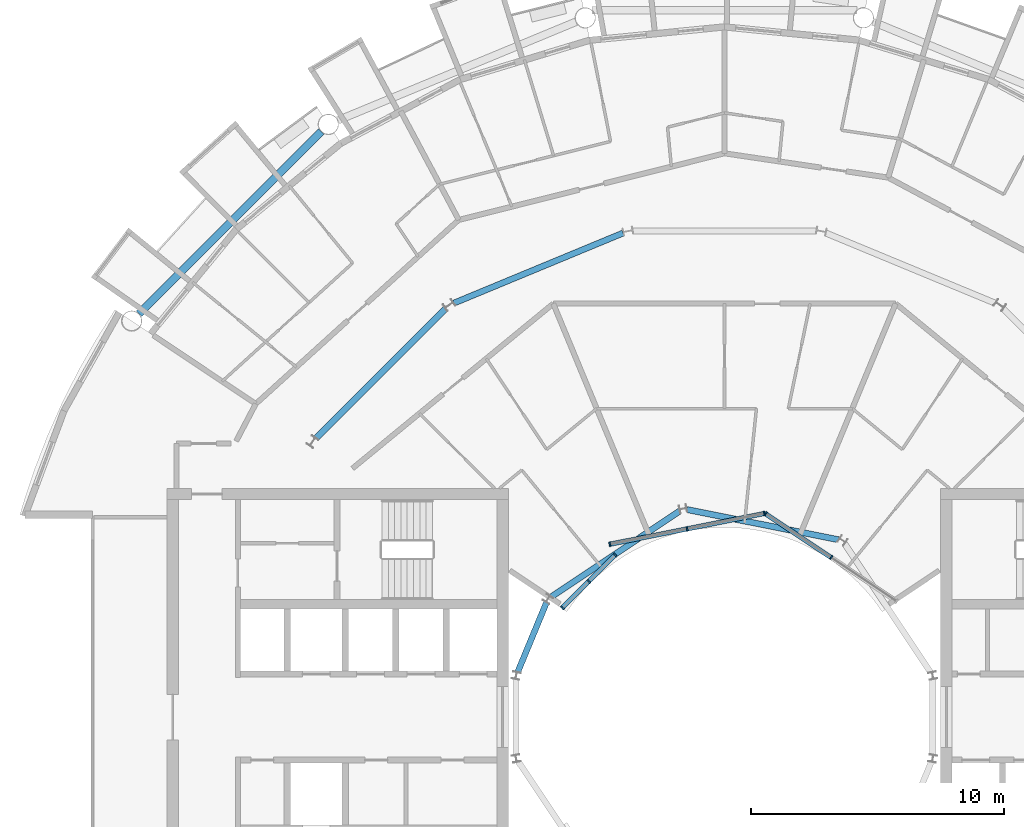
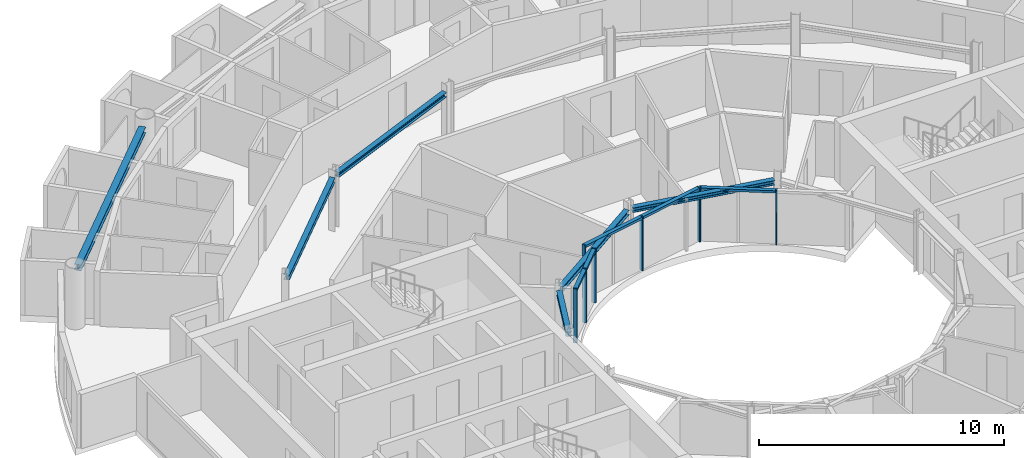
# One storey, part 9 of 29: 13 members, 6 beams, 3 elements without a shape of their own.
"""IFC4 building model written with IfcOpenShell, lengths in metres."""

from ifc_helpers import new_model, si_unit, direction, frame, origin, origin_2d, place, context, subcontext, project, spatial, rectangle, i_section, extrude, material, layer, layer_set, material_profile, profile_set, type_object, element, aggregate, save


model = new_model("IFC4")

# Units and contexts
model_context = context("Model", 3, precision=1e-05, world=origin(), true_north=direction((0.0, 1.0)))
body_context = subcontext(model_context, "Body", "Model", "MODEL_VIEW")
ifc_project = project(units=[si_unit("LENGTHUNIT", "METRE"), si_unit("AREAUNIT", "SQUARE_METRE"), si_unit("VOLUMEUNIT", "CUBIC_METRE"), si_unit("PLANEANGLEUNIT", "RADIAN"), si_unit("MASSUNIT", "GRAM", prefix="KILO")], contexts=[model_context])

# Site, building, storey
site_placement = place(None, origin())
site = spatial("IfcSite", under=ifc_project, at=site_placement, CompositionType="ELEMENT")
building_placement = place(site_placement, origin())
building = spatial("IfcBuilding", under=site, at=building_placement, Name="Maasbend Ring Residences", CompositionType="ELEMENT")
storey_placement = place(building_placement, frame((0.0, 0.0, 215.75)))
storey = spatial("IfcBuildingStorey", under=building, at=storey_placement, Name="L62", CompositionType="ELEMENT", Elevation=215.75)

# Curtain wall, members
ifc_material_1 = material(Name="Aluminium and clear glass", Category="aluminium")
ifc_layer = layer(ifc_material_1, 0.179931640625)
ifc_layer_set = layer_set([ifc_layer], Name="CW-W")
curtain_wall_type = type_object("IfcCurtainWallType", Name="CW-W", PredefinedType="NOTDEFINED", material=ifc_layer_set)
curtain_wall_1_placement = place(storey_placement, origin())
curtain_wall_1 = element("IfcCurtainWall", 1, at=curtain_wall_1_placement, inside=storey, type_object=curtain_wall_type, Name="Well curtain wall N1", PredefinedType="NOTDEFINED")
ifc_material_2 = material(Name="Aluminium 6063-T6", Category="aluminium")
ifc_material_profile_1 = material_profile(ifc_material_2, rectangle(XDim=0.179931640625, YDim=0.06005859375, at=origin_2d()), Name="AL 180x60")
ifc_profile_set_1 = profile_set([ifc_material_profile_1], Name="Aluminium 6063-T6")
member_type_1 = type_object("IfcMemberType", Name="CWM-W", PredefinedType="MULLION", material=ifc_profile_set_1)
member_1_placement = place(storey_placement, frame((4.216796875, 6.310791015625, 0.0), z_axis=(0.0, 0.0, 1.0), x_axis=(-0.55557023302, -0.831469612303, 0.0)))
member_1 = element("IfcMember", 2, at=member_1_placement, type_object=member_type_1, Name="Mullion well face", PredefinedType="MULLION", context=body_context, shape_type="SweptSolid", body=[
    extrude(rectangle(XDim=0.179931640625, YDim=0.06005859375, at=origin_2d()), origin(), (0.0, 0.0, 1.0), 2.699951171875),
])
member_2_placement = place(storey_placement, frame((1.627685546875, 8.040771484375, 0.0), z_axis=(0.0, 0.0, 1.0), x_axis=(-0.55557023302, -0.831469612303, 0.0)))
member_2 = element("IfcMember", 3, at=member_2_placement, type_object=member_type_1, Name="Mullion well face", PredefinedType="MULLION", context=body_context, shape_type="SweptSolid", body=[
    extrude(rectangle(XDim=0.179931640625, YDim=0.06005859375, at=origin_2d()), origin(), (0.0, 0.0, 1.0), 2.699951171875),
])

curtain_wall_2_placement = place(storey_placement, origin())
curtain_wall_2 = element("IfcCurtainWall", 4, at=curtain_wall_2_placement, inside=storey, type_object=curtain_wall_type, Name="Well curtain wall N2", PredefinedType="NOTDEFINED")
member_3_placement = place(storey_placement, frame((1.5732421875, 8.0517578125, 0.0), z_axis=(0.0, 0.0, 1.0), x_axis=(0.195090322016, -0.980785280403, 0.0)))
member_3 = element("IfcMember", 5, at=member_3_placement, type_object=member_type_1, Name="Mullion well face", PredefinedType="MULLION", context=body_context, shape_type="SweptSolid", body=[
    extrude(rectangle(XDim=0.179931640625, YDim=0.06005859375, at=origin_2d()), origin(), (0.0, 0.0, 1.0), 2.699951171875),
])
member_4_placement = place(storey_placement, frame((-1.480712890625, 7.444091796875, 0.0), z_axis=(0.0, 0.0, 1.0), x_axis=(0.195090322016, -0.980785280403, 0.0)))
member_4 = element("IfcMember", 6, at=member_4_placement, type_object=member_type_1, Name="Mullion well face", PredefinedType="MULLION", context=body_context, shape_type="SweptSolid", body=[
    extrude(rectangle(XDim=0.179931640625, YDim=0.06005859375, at=origin_2d()), origin(), (0.0, 0.0, 1.0), 2.699951171875),
])
member_5_placement = place(storey_placement, frame((-4.53466796875, 6.836669921875, 0.0), z_axis=(0.0, 0.0, 1.0), x_axis=(0.195090322016, -0.980785280403, 0.0)))
member_5 = element("IfcMember", 7, at=member_5_placement, type_object=member_type_1, Name="Mullion well face", PredefinedType="MULLION", context=body_context, shape_type="SweptSolid", body=[
    extrude(rectangle(XDim=0.179931640625, YDim=0.06005859375, at=origin_2d()), origin(), (0.0, 0.0, 1.0), 2.699951171875),
])

curtain_wall_3_placement = place(storey_placement, origin())
curtain_wall_3 = element("IfcCurtainWall", 8, at=curtain_wall_3_placement, inside=storey, type_object=curtain_wall_type, Name="Well curtain wall N3", PredefinedType="NOTDEFINED")
member_6_placement = place(storey_placement, frame((-4.320556640625, 6.413330078125, 0.0), z_axis=(0.0, 0.0, 1.0), x_axis=(0.707106781187, -0.707106781187, 0.0)))
member_6 = element("IfcMember", 9, at=member_6_placement, type_object=member_type_1, Name="Mullion well face", PredefinedType="MULLION", context=body_context, shape_type="SweptSolid", body=[
    extrude(rectangle(XDim=0.179931640625, YDim=0.06005859375, at=origin_2d()), origin(), (0.0, 0.0, 1.0), 2.699951171875),
])
member_7_placement = place(storey_placement, frame((-5.366943359375, 5.366943359375, 0.0), z_axis=(0.0, 0.0, 1.0), x_axis=(0.707106781187, -0.707106781187, 0.0)))
member_7 = element("IfcMember", 10, at=member_7_placement, type_object=member_type_1, Name="Mullion well face", PredefinedType="MULLION", context=body_context, shape_type="SweptSolid", body=[
    extrude(rectangle(XDim=0.179931640625, YDim=0.06005859375, at=origin_2d()), origin(), (0.0, 0.0, 1.0), 2.699951171875),
])
member_8_placement = place(storey_placement, frame((-6.413330078125, 4.320556640625, 0.0), z_axis=(0.0, 0.0, 1.0), x_axis=(0.707106781187, -0.707106781187, 0.0)))
member_8 = element("IfcMember", 11, at=member_8_placement, type_object=member_type_1, Name="Mullion well face", PredefinedType="MULLION", context=body_context, shape_type="SweptSolid", body=[
    extrude(rectangle(XDim=0.179931640625, YDim=0.06005859375, at=origin_2d()), origin(), (0.0, 0.0, 1.0), 2.699951171875),
])

# Member
ifc_material_3 = material(Name="Aluminium 6063-T6", Category="aluminium")
ifc_material_profile_2 = material_profile(ifc_material_3, rectangle(XDim=0.179931640625, YDim=0.1201171875, at=origin_2d()), Name="AL 180x120")
ifc_profile_set_2 = profile_set([ifc_material_profile_2], Name="Aluminium 6063-T6")
member_type_2 = type_object("IfcMemberType", Name="CWT-W", PredefinedType="USERDEFINED", material=ifc_profile_set_2)
member_9_placement = place(storey_placement, frame((4.19189453125, 6.32763671875, 2.639892578125), z_axis=(-0.831496422459, 0.555530106689, 0.0), x_axis=(-0.555530106689, -0.831496422459, 0.0)))
member_9 = element("IfcMember", 12, at=member_9_placement, type_object=member_type_2, Name="Transom well face", ObjectType="TRANSOM", PredefinedType="USERDEFINED", context=body_context, shape_type="SweptSolid", body=[
    extrude(rectangle(XDim=0.179931640625, YDim=0.1201171875, at=origin_2d()), origin(), (0.0, 0.0, 1.0), 3.053955078125),
])

aggregate(curtain_wall_1, [member_1, member_2, member_9])

member_10_placement = place(storey_placement, frame((1.5439453125, 8.0458984375, 2.639892578125), z_axis=(-0.980776956105, -0.195132166424, 0.0), x_axis=(0.195132166424, -0.980776956105, 0.0)))
member_10 = element("IfcMember", 13, at=member_10_placement, type_object=member_type_2, Name="Transom well face", ObjectType="TRANSOM", PredefinedType="USERDEFINED", context=body_context, shape_type="SweptSolid", body=[
    extrude(rectangle(XDim=0.179931640625, YDim=0.1201171875, at=origin_2d()), origin(), (0.0, 0.0, 1.0), 3.053955078125),
])

member_11_placement = place(storey_placement, frame((-1.51025390625, 7.438232421875, 2.639892578125), z_axis=(-0.980789210404, -0.19507056353, 0.0), x_axis=(0.19507056353, -0.980789210404, 0.0)))
member_11 = element("IfcMember", 14, at=member_11_placement, type_object=member_type_2, Name="Transom well face", ObjectType="TRANSOM", PredefinedType="USERDEFINED", context=body_context, shape_type="SweptSolid", body=[
    extrude(rectangle(XDim=0.179931640625, YDim=0.1201171875, at=origin_2d()), origin(), (0.0, 0.0, 1.0), 3.0537109375),
])

aggregate(curtain_wall_2, [member_3, member_4, member_5, member_10, member_11])

member_12_placement = place(storey_placement, frame((-4.341796875, 6.39208984375, 2.639892578125), z_axis=(-0.707106781187, -0.707106781187, 0.0), x_axis=(0.707106781187, -0.707106781187, 0.0)))
member_12 = element("IfcMember", 15, at=member_12_placement, type_object=member_type_2, Name="Transom well face", ObjectType="TRANSOM", PredefinedType="USERDEFINED", context=body_context, shape_type="SweptSolid", body=[
    extrude(rectangle(XDim=0.179931640625, YDim=0.1201171875, at=origin_2d()), origin(), (0.0, 0.0, 1.0), 1.419677734375),
])

member_13_placement = place(storey_placement, frame((-5.38818359375, 5.345703125, 2.639892578125), z_axis=(-0.707106781187, -0.707106781187, 0.0), x_axis=(0.707106781187, -0.707106781187, 0.0)))
member_13 = element("IfcMember", 16, at=member_13_placement, type_object=member_type_2, Name="Transom well face", ObjectType="TRANSOM", PredefinedType="USERDEFINED", context=body_context, shape_type="SweptSolid", body=[
    extrude(rectangle(XDim=0.179931640625, YDim=0.1201171875, at=origin_2d()), origin(), (0.0, 0.0, 1.0), 1.419677734375),
])

aggregate(curtain_wall_3, [member_6, member_7, member_8, member_12, member_13])

# Beams
ifc_material_4 = material(Name="Steel S355J2", Category="steel")
ifc_material_profile_3 = material_profile(ifc_material_4, i_section(OverallWidth=0.239990234375, OverallDepth=0.22998046875, WebThickness=0.007568359375, FlangeThickness=0.011962890625, FilletRadius=0.02099609375, at=origin_2d()), Name="HEA 240")
ifc_profile_set_3 = profile_set([ifc_material_profile_3], Name="Steel S355J2")
beam_type_1 = type_object("IfcBeamType", Name="Corridor ring beam HEA 240", PredefinedType="BEAM", material=ifc_profile_set_3)
beam_1_placement = place(storey_placement, frame((-4.01220703125, 19.1455078125, 2.5849609375), z_axis=(-0.923865162022, -0.382718123952, 0.0), x_axis=(0.382718123952, -0.923865162022, 0.0)))
element("IfcBeam", 17, at=beam_1_placement, inside=storey, type_object=beam_type_1, Name="Corridor ring beam", PredefinedType="BEAM", context=body_context, shape_type="SweptSolid", body=[
    extrude(i_section(OverallWidth=0.239990234375, OverallDepth=0.22998046875, WebThickness=0.007568359375, FlangeThickness=0.011962890625, FilletRadius=0.02099609375, at=origin_2d()), origin(), (0.0, 0.0, 1.0), 7.23974609375),
])
beam_2_placement = place(storey_placement, frame((-11.033447265625, 16.152587890625, 2.5849609375), z_axis=(-0.707106781187, -0.707106781187, 0.0), x_axis=(0.707106781187, -0.707106781187, 0.0)))
element("IfcBeam", 18, at=beam_2_placement, inside=storey, type_object=beam_type_1, Name="Corridor ring beam", PredefinedType="BEAM", context=body_context, shape_type="SweptSolid", body=[
    extrude(i_section(OverallWidth=0.239990234375, OverallDepth=0.22998046875, WebThickness=0.007568359375, FlangeThickness=0.011962890625, FilletRadius=0.02099609375, at=origin_2d()), origin(), (0.0, 0.0, 1.0), 7.239501953125),
])
ifc_material_5 = material(Name="Steel S355J2", Category="steel")
ifc_material_profile_4 = material_profile(ifc_material_5, i_section(OverallWidth=0.300048828125, OverallDepth=0.300048828125, WebThickness=0.010986328125, FlangeThickness=0.01904296875, FilletRadius=0.027099609375, at=origin_2d()), Name="HEB 300")
ifc_profile_set_4 = profile_set([ifc_material_profile_4], Name="Steel S355J2")
beam_type_2 = type_object("IfcBeamType", Name="Spandrel ring beam HEB 300", PredefinedType="SPANDREL", material=ifc_profile_set_4)
beam_3_placement = place(storey_placement, frame((-15.95458984375, 23.159912109375, 2.550048828125), z_axis=(-0.707106781187, -0.707106781187, 0.0), x_axis=(0.707106781187, -0.707106781187, 0.0)))
element("IfcBeam", 19, at=beam_3_placement, inside=storey, type_object=beam_type_2, Name="Spandrel ring beam", PredefinedType="SPANDREL", context=body_context, shape_type="SweptSolid", body=[
    extrude(i_section(OverallWidth=0.300048828125, OverallDepth=0.300048828125, WebThickness=0.010986328125, FlangeThickness=0.01904296875, FilletRadius=0.027099609375, at=origin_2d()), origin(), (0.0, 0.0, 1.0), 10.18994140625),
])
ifc_material_6 = material(Name="Steel S355J2", Category="steel")
ifc_material_profile_5 = material_profile(ifc_material_6, i_section(OverallWidth=0.239990234375, OverallDepth=0.22998046875, WebThickness=0.007568359375, FlangeThickness=0.011962890625, FilletRadius=0.02099609375, at=origin_2d()), Name="HEA 240")
ifc_profile_set_5 = profile_set([ifc_material_profile_5], Name="Steel S355J2")
beam_type_3 = type_object("IfcBeamType", Name="Well edge beam HEA 240", PredefinedType="BEAM", material=ifc_profile_set_5)
for number, where, z_axis, x_axis, name in (
    (20, (4.512939453125, 7.014892578125, 2.5849609375), (-0.980782836869, 0.195102606089, 0.0), (-0.195102606089, -0.980782836869, 0.0), "Well edge beam"),
    (21, (-1.769287109375, 8.1513671875, 2.5849609375), (-0.831460175376, -0.555584356119, 0.0), (0.555584356119, -0.831460175376, 0.0), "Well edge beam"),
):
    element("IfcBeam", number, at=place(storey_placement, frame(where, z_axis=z_axis, x_axis=x_axis)), inside=storey, type_object=beam_type_3, Name=name, PredefinedType="BEAM", context=body_context, shape_type="SweptSolid", body=[
        extrude(i_section(OverallWidth=0.239990234375, OverallDepth=0.22998046875, WebThickness=0.007568359375, FlangeThickness=0.011962890625, FilletRadius=0.02099609375, at=origin_2d()), origin(), (0.0, 0.0, 1.0), 6.115234375),
    ])
beam_4_placement = place(storey_placement, frame((-7.041015625, 4.5302734375, 2.5849609375), z_axis=(-0.382614534057, -0.923908068115, 0.0), x_axis=(0.923908068115, -0.382614534057, 0.0)))
element("IfcBeam", 22, at=beam_4_placement, inside=storey, type_object=beam_type_3, Name="Well edge beam", PredefinedType="BEAM", context=body_context, shape_type="SweptSolid", body=[
    extrude(i_section(OverallWidth=0.239990234375, OverallDepth=0.22998046875, WebThickness=0.007568359375, FlangeThickness=0.011962890625, FilletRadius=0.02099609375, at=origin_2d()), origin(), (0.0, 0.0, 1.0), 2.981689453125),
])

save(model, "model.ifc")
